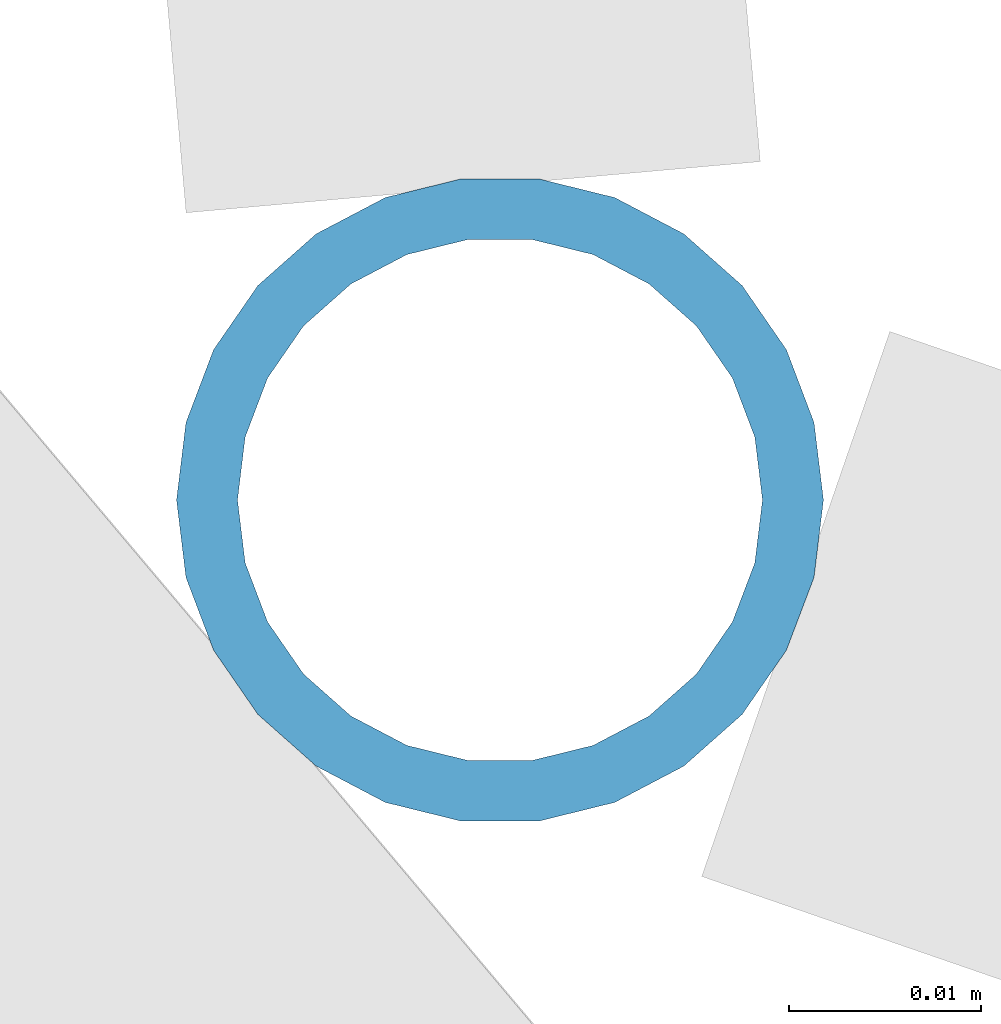
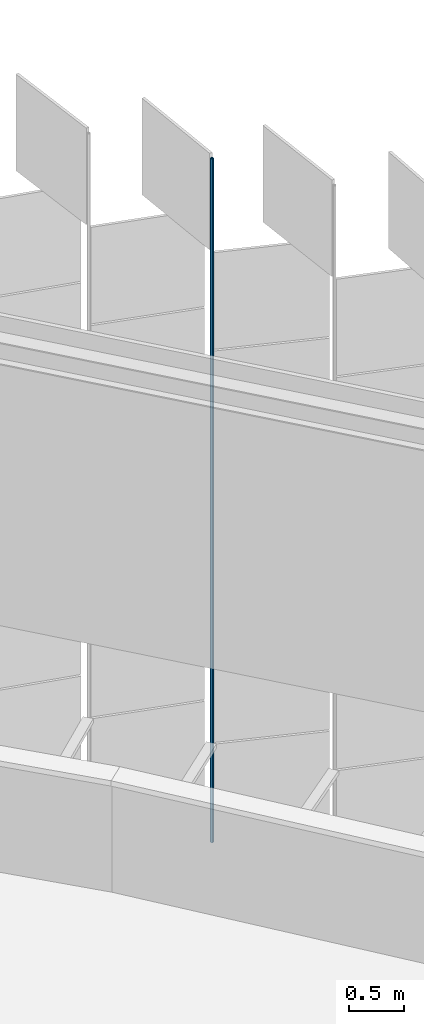
# One storey, part 312 of 483: 1 discrete accessory.
"""IFC4 building model written with IfcOpenShell, lengths in metres."""

import ifcopenshell
import ifcopenshell.guid

model = None  # the IFC model being written
_history = None  # IfcOwnerHistory: only IFC2X3 demands one
_inside = {}  # id of a spatial element -> (the spatial element, [elements in it])
_under = {}  # id of a project, library or spatial element -> (it, [spatial elements below it])
_declared = {}  # id of a project -> (the project, [libraries it declares])
_typed = {}  # id of a type object -> (the type object, [elements of that type])
_made_of = {}  # id of a material, layer set ... -> (it, [elements and type objects made of it])


def new_model(schema):
    """Start an empty IFC model of exactly this schema.

    Asked for "IFC4X3", IfcOpenShell would pick the latest addendum, in which some entities
    have other attributes; the version numbers below select the first issue.
    IFC2X3 requires an IfcOwnerHistory on every rooted entity: one is made here for all.
    """
    global model, _history
    if schema == "IFC4X3":
        model = ifcopenshell.file(schema_version=(4, 3, 0, 0))
    else:
        model = ifcopenshell.file(schema=schema)
    _inside.clear()
    _under.clear()
    _declared.clear()
    _typed.clear()
    _made_of.clear()
    _history = None
    if model.schema == "IFC2X3":
        org = make("IfcOrganization", Name="unknown")
        user = make(
            "IfcPersonAndOrganization",
            ThePerson=make("IfcPerson", FamilyName="unknown"),
            TheOrganization=org,
        )
        app = make(
            "IfcApplication",
            ApplicationDeveloper=org,
            Version="unknown",
            ApplicationFullName="unknown",
            ApplicationIdentifier="unknown",
        )
        _history = make(
            "IfcOwnerHistory",
            OwningUser=user,
            OwningApplication=app,
            ChangeAction="ADDED",
            CreationDate=0,
        )
    return model


def make(cls, **values):
    """One entity of the class cls with the attributes given. An attribute that is None is left unset."""
    return model.create_entity(
        cls, **{name: value for name, value in values.items() if value is not None}
    )


def rooted(cls, **values):
    """An entity with a GlobalId (a new one), such as an element, a storey or a relation."""
    return make(cls, GlobalId=ifcopenshell.guid.new(), OwnerHistory=_history, **values)


def si_unit(unit_type, name, prefix=None):
    """IfcSIUnit, for example si_unit("LENGTHUNIT", "METRE", prefix="MILLI")."""
    return make("IfcSIUnit", UnitType=unit_type, Prefix=prefix, Name=name)


def assignment(units):
    """IfcUnitAssignment: the units of a project."""
    return None if units is None else make("IfcUnitAssignment", Units=units)


def point(xyz):
    """IfcCartesianPoint."""
    return None if xyz is None else make("IfcCartesianPoint", Coordinates=xyz)


def direction(xyz):
    """IfcDirection."""
    return None if xyz is None else make("IfcDirection", DirectionRatios=xyz)


def frame(location, z_axis=None, x_axis=None):
    """IfcAxis2Placement3D, a coordinate frame: its origin and axes. An axis left out is left unset."""
    return make(
        "IfcAxis2Placement3D",
        Location=point(location),
        Axis=direction(z_axis),
        RefDirection=direction(x_axis),
    )


def frame_2d(location, x_axis=None):
    """IfcAxis2Placement2D, a coordinate frame in the plane: its origin and x axis."""
    return make(
        "IfcAxis2Placement2D", Location=point(location), RefDirection=direction(x_axis)
    )


def origin():
    """The frame at (0, 0, 0) with its axes left unset."""
    return frame((0.0, 0.0, 0.0))


def origin_2d():
    """The frame at (0, 0) in the plane with its x axis left unset."""
    return frame_2d((0.0, 0.0))


def place(relative_to, where):
    """IfcLocalPlacement: puts the frame where relative to a parent placement (None: the world)."""
    return make(
        "IfcLocalPlacement", PlacementRelTo=relative_to, RelativePlacement=where
    )


def context(
    kind, dimensions, precision=None, world=None, true_north=None, identifier=None
):
    """IfcGeometricRepresentationContext, for example the 3D "Model" context."""
    return make(
        "IfcGeometricRepresentationContext",
        ContextIdentifier=identifier,
        ContextType=kind,
        CoordinateSpaceDimension=dimensions,
        Precision=precision,
        WorldCoordinateSystem=world,
        TrueNorth=true_north,
    )


def subcontext(parent, identifier, kind, view, scale=None):
    """IfcGeometricRepresentationSubContext, for example "Body" below "Model"."""
    return make(
        "IfcGeometricRepresentationSubContext",
        ContextIdentifier=identifier,
        ContextType=kind,
        ParentContext=parent,
        TargetScale=scale,
        TargetView=view,
    )


def project(units=None, contexts=None):
    """IfcProject with its units and contexts."""
    return rooted(
        "IfcProject",
        Name="project",
        RepresentationContexts=contexts,
        UnitsInContext=assignment(units),
    )


def spatial(cls, under=None, at=None, **own):
    """A site, building, storey or space (cls), placed at a placement, below another one or the project."""
    s = rooted(cls, ObjectPlacement=at, **own)
    if under is not None:
        _under.setdefault(under.id(), (under, []))[1].append(s)
    return s


def profile(cls, at=None, kind="AREA", **sizes):
    """A parametric profile (cls). Its sizes go by their IFC names, for example OverallWidth=200.0."""
    return make(cls, ProfileType=kind, Position=at, **sizes)


def hollow_circle(**sizes):
    """IfcCircleHollowProfileDef."""
    return profile("IfcCircleHollowProfileDef", **sizes)


def extrude(swept, where, along, depth):
    """IfcExtrudedAreaSolid: the profile swept, set in the frame where, extruded along a direction by depth."""
    return make(
        "IfcExtrudedAreaSolid",
        SweptArea=swept,
        Position=where,
        ExtrudedDirection=direction(along),
        Depth=depth,
    )


def shape(context_of_items, identifier, shape_type, items):
    """IfcShapeRepresentation: the items that make up one representation, for example the "Body"."""
    return make(
        "IfcShapeRepresentation",
        ContextOfItems=context_of_items,
        RepresentationIdentifier=identifier,
        RepresentationType=shape_type,
        Items=items,
    )


def material(Name=None, Category=None):
    """IfcMaterial."""
    return make("IfcMaterial", Name=Name, Category=Category)


def material_profile(
    of_material, cross_section, Name=None, Category=None, Priority=None
):
    """IfcMaterialProfile: a cross section and its material."""
    return make(
        "IfcMaterialProfile",
        Name=Name,
        Material=of_material,
        Profile=cross_section,
        Priority=Priority,
        Category=Category,
    )


def profile_set(profiles, Name=None, composite=None):
    """IfcMaterialProfileSet."""
    return make(
        "IfcMaterialProfileSet",
        Name=Name,
        MaterialProfiles=profiles,
        CompositeProfile=composite,
    )


def made_of(thing, what):
    """Note that an element or type object is made of a material, layer set ...; save() writes the relation."""
    if what is not None:
        _made_of.setdefault(what.id(), (what, []))[1].append(thing)
    return thing


def type_object(cls, material=None, **own):
    """A type object (cls), such as IfcWallType, which elements share."""
    return made_of(rooted(cls, **own), material)


def element(
    cls,
    number,
    at=None,
    inside=None,
    cuts=None,
    type_object=None,
    material=None,
    context=None,
    identifier="Body",
    shape_type=None,
    held_by="IfcProductDefinitionShape",
    body=None,
    shapes=None,
    **own,
):
    """One element of the class cls, such as IfcWall. Its Tag is "e" and its number.

    at: its placement. inside: the storey or other place that contains it. cuts: it is an
    opening in that element (IfcRelVoidsElement). A single representation is given by context,
    identifier, shape_type and body (its items); several are given by shapes. held_by: the class
    of the entity that holds the representations. save() writes the other relations.
    """
    e = rooted(cls, Tag="e%d" % number, ObjectPlacement=at, **own)
    if body is not None:
        shapes = [shape(context, identifier, shape_type, body)]
    if shapes is not None:
        e.Representation = make(held_by, Representations=shapes)
    if inside is not None:
        _inside.setdefault(inside.id(), (inside, []))[1].append(e)
    if cuts is not None:
        rooted(
            "IfcRelVoidsElement", RelatingBuildingElement=cuts, RelatedOpeningElement=e
        )
    if type_object is not None:
        _typed.setdefault(type_object.id(), (type_object, []))[1].append(e)
    return made_of(e, material)


def aggregate(whole, parts):
    """IfcRelAggregates: a whole, such as a stair, and the parts it consists of."""
    return rooted("IfcRelAggregates", RelatingObject=whole, RelatedObjects=parts)


def save(model, path):
    """Write the relations noted so far, then the file.

    IfcRelAggregates (storeys below a building ...), IfcRelContainedInSpatialStructure (elements
    in a storey), IfcRelDefinesByType, IfcRelAssociatesMaterial and IfcRelDeclares: one each for
    every whole, place, type object, material and project.
    """
    for whole, parts in _under.values():
        aggregate(whole, parts)
    for where, things in _inside.values():
        rooted(
            "IfcRelContainedInSpatialStructure",
            RelatedElements=things,
            RelatingStructure=where,
        )
    for kind, things in _typed.values():
        rooted("IfcRelDefinesByType", RelatedObjects=things, RelatingType=kind)
    for what, things in _made_of.values():
        rooted("IfcRelAssociatesMaterial", RelatedObjects=things, RelatingMaterial=what)
    for by, libraries in _declared.values():
        rooted("IfcRelDeclares", RelatingContext=by, RelatedDefinitions=libraries)
    model.write(path)


model = new_model("IFC4")

# Units and contexts
model_context = context("Model", 3, precision=1e-05, world=origin(), true_north=direction((0.0, 1.0)))
body_context = subcontext(model_context, "Body", "Model", "MODEL_VIEW")
ifc_project = project(units=[si_unit("LENGTHUNIT", "METRE"), si_unit("AREAUNIT", "SQUARE_METRE"), si_unit("VOLUMEUNIT", "CUBIC_METRE"), si_unit("PLANEANGLEUNIT", "RADIAN"), si_unit("MASSUNIT", "GRAM", prefix="KILO")], contexts=[model_context])

# Site, building, storey
site_placement = place(None, origin())
site = spatial("IfcSite", under=ifc_project, at=site_placement, CompositionType="ELEMENT")
building_placement = place(site_placement, origin())
building = spatial("IfcBuilding", under=site, at=building_placement, Name="Parallax Yard Mobility Hub", CompositionType="ELEMENT")
storey_placement = place(building_placement, frame((0.0, 0.0, 13.199951171875)))
storey = spatial("IfcBuildingStorey", under=building, at=storey_placement, Name="L04", CompositionType="ELEMENT", Elevation=13.199951171875)

# Discrete accessory
ifc_material = material(Name="Steel ASTM A500 Gr C, hot-dip galvanised", Category="steel")
ifc_material_profile = material_profile(ifc_material, hollow_circle(Radius=0.016845703125, WallThickness=0.003173828125, at=origin_2d()), Name="CHS 33.7x3.2")
ifc_profile_set = profile_set([ifc_material_profile], Name="Steel ASTM A500 Gr C, hot-dip galvanised")
discrete_accessory_type = type_object("IfcDiscreteAccessoryType", Name="Hinge post CHS 33.7x3.2", PredefinedType="BRACKET", material=ifc_profile_set)
discrete_accessory_placement = place(storey_placement, frame((213.4287109375, 124.17236328125, 0.0), z_axis=(0.0, 0.0, 1.0), x_axis=(1.0, 0.0, 0.0)))
element("IfcDiscreteAccessory", 1, at=discrete_accessory_placement, inside=storey, type_object=discrete_accessory_type, Name="Hinge post bay 45.4 level L04", PredefinedType="BRACKET", context=body_context, shape_type="SweptSolid", body=[
    extrude(hollow_circle(Radius=0.016845703125, WallThickness=0.003173828125, at=origin_2d()), origin(), (0.0, 0.0, 1.0), 7.650146484375),
])

save(model, "model.ifc")
